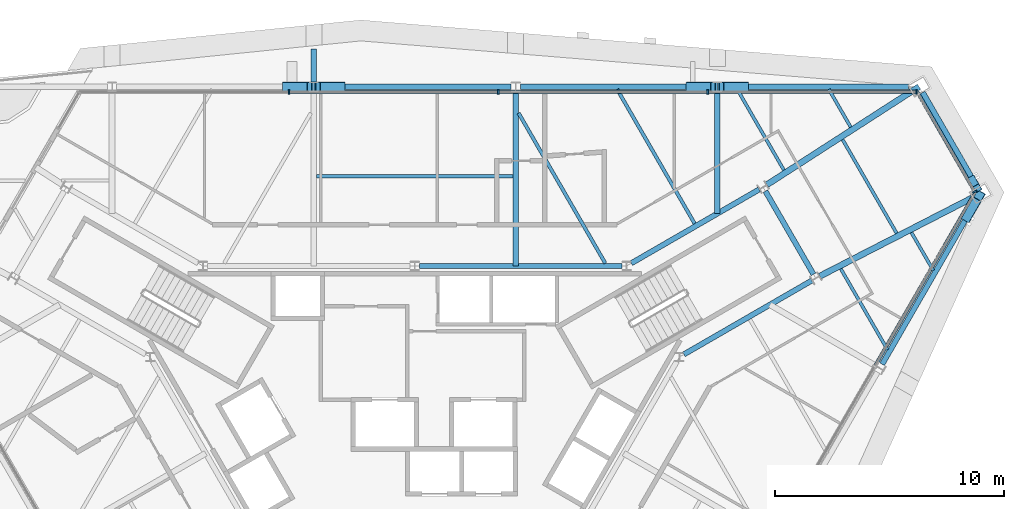
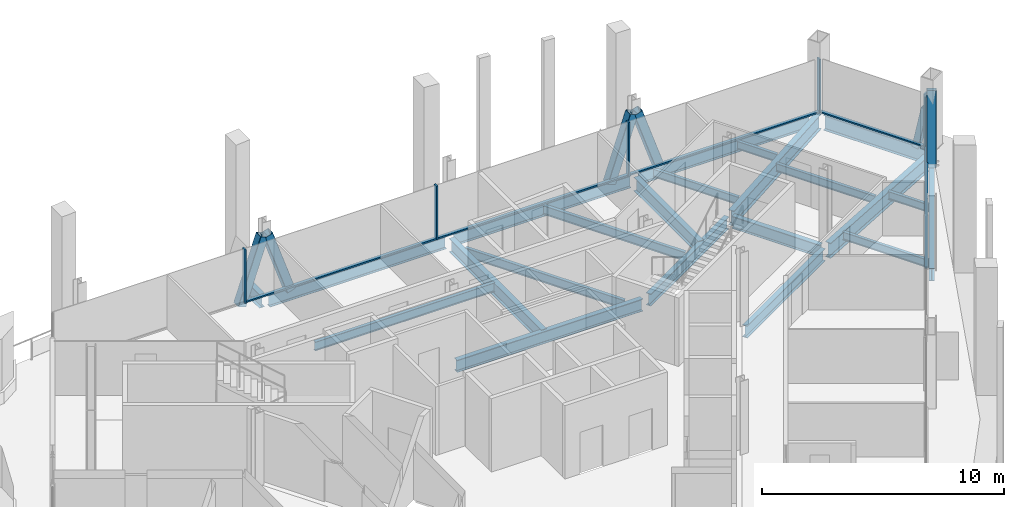
# One storey, part 7 of 14: 22 beams, 16 members, 3 elements without a shape of their own.
"""IFC4 building model written with IfcOpenShell, lengths in metres."""

from ifc_helpers import new_model, si_unit, direction, frame, origin, origin_2d, place, context, subcontext, project, spatial, rectangle, hollow_rectangle, i_section, extrude, material, material_profile, profile_set, type_object, element, aggregate, save


model = new_model("IFC4")

# Units and contexts
model_context = context("Model", 3, precision=1e-05, world=origin(), true_north=direction((0.0, 1.0)))
body_context = subcontext(model_context, "Body", "Model", "MODEL_VIEW")
ifc_project = project(units=[si_unit("LENGTHUNIT", "METRE"), si_unit("AREAUNIT", "SQUARE_METRE"), si_unit("VOLUMEUNIT", "CUBIC_METRE"), si_unit("PLANEANGLEUNIT", "RADIAN"), si_unit("MASSUNIT", "GRAM", prefix="KILO")], contexts=[model_context])

# Site, building, storey
site_placement = place(None, origin())
site = spatial("IfcSite", under=ifc_project, at=site_placement, CompositionType="ELEMENT")
building_placement = place(site_placement, origin())
building = spatial("IfcBuilding", under=site, at=building_placement, Name="Verrane Prism Tower", CompositionType="ELEMENT")
storey_placement = place(building_placement, frame((0.0, 0.0, 228.60009765625)))
storey = spatial("IfcBuildingStorey", under=building, at=storey_placement, Name="L57", CompositionType="ELEMENT", Elevation=228.60009765625)

# Member
ifc_material_1 = material(Name="Steel A500 Grade C", Category="steel")
ifc_material_profile_1 = material_profile(ifc_material_1, hollow_rectangle(XDim=0.3046875, YDim=0.3046875, WallThickness=0.0126953125, InnerFilletRadius=0.00634765625, OuterFilletRadius=0.01904296875, at=origin_2d()), Name="HSS12x12x1/2")
ifc_profile_set_1 = profile_set([ifc_material_profile_1], Name="Steel A500 Grade C")
member_type_1 = type_object("IfcMemberType", Name="Chamfer brace HSS12x12x1/2", PredefinedType="BRACE", material=ifc_profile_set_1)
member_1_placement = place(storey_placement, frame((24.366455078125, 11.773681640625, -0.24267578125), z_axis=(0.101660456099, -0.176430813877, 0.979049191604), x_axis=(0.866454477598, 0.499256084841, 0.0)))
element("IfcMember", 1, at=member_1_placement, inside=storey, type_object=member_type_1, Name="Chamfer brace NE0 L57", PredefinedType="BRACE", context=body_context, shape_type="SweptSolid", body=[
    extrude(hollow_rectangle(XDim=0.3046875, YDim=0.3046875, WallThickness=0.0126953125, InnerFilletRadius=0.00634765625, OuterFilletRadius=0.01904296875, at=origin_2d()), origin(), (0.0, 0.0, 1.0), 2.15185546875),
])

# Beams
ifc_material_2 = material(Name="Steel A992", Category="steel")
ifc_material_profile_2 = material_profile(ifc_material_2, i_section(OverallWidth=0.2666015625, OverallDepth=0.7568359375, WebThickness=0.013916015625, FlangeThickness=0.019287109375, FilletRadius=0.0166015625, at=origin_2d()), Name="W30x108")
ifc_profile_set_2 = profile_set([ifc_material_profile_2], Name="Steel A992")
beam_type_1 = type_object("IfcBeamType", Name="Chamfer spandrel beam W30x108", PredefinedType="SPANDREL", material=ifc_profile_set_2)
beam_1_placement = place(storey_placement, frame((24.5703125, 11.419921875, -0.53857421875), z_axis=(-0.499144251771, 0.866518906848, 0.0), x_axis=(-0.866518906848, -0.499144251771, 0.0)))
element("IfcBeam", 2, at=beam_1_placement, inside=storey, type_object=beam_type_1, Name="Chamfer spandrel beam L57", PredefinedType="SPANDREL", context=body_context, shape_type="SweptSolid", body=[
    extrude(i_section(OverallWidth=0.2666015625, OverallDepth=0.7568359375, WebThickness=0.013916015625, FlangeThickness=0.019287109375, FilletRadius=0.0166015625, at=origin_2d()), origin(), (0.0, 0.0, 1.0), 4.78955078125),
])
ifc_material_3 = material(Name="Steel A992", Category="steel")
ifc_material_profile_3 = material_profile(ifc_material_3, i_section(OverallWidth=0.23046875, OverallDepth=0.6171875, WebThickness=0.01318359375, FlangeThickness=0.022216796875, FilletRadius=0.012939453125, at=origin_2d()), Name="W24x94")
ifc_profile_set_3 = profile_set([ifc_material_profile_3], Name="Steel A992")
beam_type_2 = type_object("IfcBeamType", Name="Core ring girder W24x94", PredefinedType="BEAM", material=ifc_profile_set_3)
beam_2_placement = place(storey_placement, frame((11.759521484375, 4.135009765625, -0.55859375), z_axis=(0.866080992722, 0.499903704773, 0.0), x_axis=(-0.499903704773, 0.866080992722, 0.0)))
element("IfcBeam", 3, at=beam_2_placement, inside=storey, type_object=beam_type_2, Name="Core ring girder L57", PredefinedType="BEAM", context=body_context, shape_type="SweptSolid", body=[
    extrude(i_section(OverallWidth=0.23046875, OverallDepth=0.6171875, WebThickness=0.01318359375, FlangeThickness=0.022216796875, FilletRadius=0.012939453125, at=origin_2d()), origin(), (0.0, 0.0, 1.0), 6.451904296875),
])
beam_3_placement = place(storey_placement, frame((17.419677734375, 7.6337890625, -0.55859375), z_axis=(-0.500375511519, 0.865808493532, 0.0), x_axis=(-0.865808493532, -0.500375511519, 0.0)))
element("IfcBeam", 4, at=beam_3_placement, inside=storey, type_object=beam_type_2, Name="Core ring girder L57", PredefinedType="BEAM", context=body_context, shape_type="SweptSolid", body=[
    extrude(i_section(OverallWidth=0.23046875, OverallDepth=0.6171875, WebThickness=0.01318359375, FlangeThickness=0.022216796875, FilletRadius=0.012939453125, at=origin_2d()), origin(), (0.0, 0.0, 1.0), 4.195556640625),
])
beam_4_placement = place(storey_placement, frame((15.04736328125, 11.34033203125, -0.55859375), z_axis=(-0.866080992722, -0.499903704773, 0.0), x_axis=(0.499903704773, -0.866080992722, 0.0)))
element("IfcBeam", 5, at=beam_4_placement, inside=storey, type_object=beam_type_2, Name="Core ring girder L57", PredefinedType="BEAM", context=body_context, shape_type="SweptSolid", body=[
    extrude(i_section(OverallWidth=0.23046875, OverallDepth=0.6171875, WebThickness=0.01318359375, FlangeThickness=0.022216796875, FilletRadius=0.012939453125, at=origin_2d()), origin(), (0.0, 0.0, 1.0), 6.451904296875),
])
beam_5_placement = place(storey_placement, frame((9.060546875, 8.0, -0.55859375), z_axis=(-1.0, 0.0, 0.0), x_axis=(0.0, -1.0, 0.0)))
element("IfcBeam", 6, at=beam_5_placement, inside=storey, type_object=beam_type_2, Name="Core ring girder L57", PredefinedType="BEAM", context=body_context, shape_type="SweptSolid", body=[
    extrude(i_section(OverallWidth=0.23046875, OverallDepth=0.6171875, WebThickness=0.01318359375, FlangeThickness=0.022216796875, FilletRadius=0.012939453125, at=origin_2d()), origin(), (0.0, 0.0, 1.0), 8.861083984375),
])
ifc_material_4 = material(Name="Steel A992", Category="steel")
ifc_material_profile_4 = material_profile(ifc_material_4, i_section(OverallWidth=0.2666015625, OverallDepth=0.76708984375, WebThickness=0.014892578125, FlangeThickness=0.023681640625, FilletRadius=0.0166015625, at=origin_2d()), Name="W30x124")
ifc_profile_set_4 = profile_set([ifc_material_profile_4], Name="Steel A992")
beam_type_3 = type_object("IfcBeamType", Name="Corner girder W30x124", PredefinedType="BEAM", material=ifc_profile_set_4)
beam_6_placement = place(storey_placement, frame((24.36376953125, 10.97705078125, -0.603515625), z_axis=(-0.889427813273, -0.457075666576, 0.0), x_axis=(0.457075666576, -0.889427813273, 0.0)))
element("IfcBeam", 7, at=beam_6_placement, inside=storey, type_object=beam_type_3, Name="Corner girder L57", PredefinedType="BEAM", context=body_context, shape_type="SweptSolid", body=[
    extrude(i_section(OverallWidth=0.2666015625, OverallDepth=0.76708984375, WebThickness=0.014892578125, FlangeThickness=0.023681640625, FilletRadius=0.0166015625, at=origin_2d()), origin(), (0.0, 0.0, 1.0), 7.4951171875),
])
beam_7_placement = place(storey_placement, frame((22.02880859375, 15.8291015625, -0.603515625), z_axis=(-0.840503183153, -0.541806606742, 0.0), x_axis=(0.541806606742, -0.840503183153, 0.0)))
element("IfcBeam", 8, at=beam_7_placement, inside=storey, type_object=beam_type_3, Name="Corner girder L57", PredefinedType="BEAM", context=body_context, shape_type="SweptSolid", body=[
    extrude(i_section(OverallWidth=0.2666015625, OverallDepth=0.76708984375, WebThickness=0.014892578125, FlangeThickness=0.023681640625, FilletRadius=0.0166015625, at=origin_2d()), origin(), (0.0, 0.0, 1.0), 7.9013671875),
])

# Members
ifc_material_5 = material(Name="Steel A500 Grade C", Category="steel")
ifc_material_profile_5 = material_profile(ifc_material_5, hollow_rectangle(XDim=0.406494140625, YDim=0.406494140625, WallThickness=0.01904296875, InnerFilletRadius=0.009521484375, OuterFilletRadius=0.028564453125, at=origin_2d()), Name="HSS16x16x3/4")
ifc_profile_set_5 = profile_set([ifc_material_profile_5], Name="Steel A500 Grade C")
member_type_2 = type_object("IfcMemberType", Name="Facade brace HSS16x16x3/4", PredefinedType="BRACE", material=ifc_profile_set_5)
for number, where, z_axis, x_axis, name in (
    (9, (14.392822265625, 15.830078125, -0.216796875), (-0.322009246093, 0.0, 0.946736523765), (0.0, -1.0, 0.0), "Facade brace N0 L57"),
    (10, (12.047119140625, 15.830078125, -0.216796875), (0.322009246093, 0.0, 0.946736523765), (0.0, 1.0, 0.0), "Facade brace N1 L57"),
):
    element("IfcMember", number, at=place(storey_placement, frame(where, z_axis=z_axis, x_axis=x_axis)), inside=storey, type_object=member_type_2, Name=name, PredefinedType="BRACE", context=body_context, shape_type="SweptSolid", body=[
        extrude(hollow_rectangle(XDim=0.406494140625, YDim=0.406494140625, WallThickness=0.01904296875, InnerFilletRadius=0.009521484375, OuterFilletRadius=0.028564453125, at=origin_2d()), origin(), (0.0, 0.0, 1.0), 3.328369140625),
    ])
member_2_placement = place(storey_placement, frame((-3.23583984375, 15.830078125, -0.216796875), z_axis=(-0.322337912363, 0.0, 0.946624672325), x_axis=(0.0, -1.0, 0.0)))
element("IfcMember", 11, at=member_2_placement, inside=storey, type_object=member_type_2, Name="Facade brace N2 L57", PredefinedType="BRACE", context=body_context, shape_type="SweptSolid", body=[
    extrude(hollow_rectangle(XDim=0.406494140625, YDim=0.406494140625, WallThickness=0.01904296875, InnerFilletRadius=0.009521484375, OuterFilletRadius=0.028564453125, at=origin_2d()), origin(), (0.0, 0.0, 1.0), 3.328857421875),
])
for number, where, z_axis, x_axis, name in (
    (12, (-5.5830078125, 15.830078125, -0.216796875), (0.322074988667, 0.0, 0.946714160492), (0.0, 1.0, 0.0), "Facade brace N3 L57"),
    (13, (24.13427734375, 10.144287109375, -0.216796875), (0.160861231008, 0.278884815454, 0.946756000281), (-0.866231099009, 0.499643556057, 0.0), "Facade brace SE4 L57"),
):
    element("IfcMember", number, at=place(storey_placement, frame(where, z_axis=z_axis, x_axis=x_axis)), inside=storey, type_object=member_type_2, Name=name, PredefinedType="BRACE", context=body_context, shape_type="SweptSolid", body=[
        extrude(hollow_rectangle(XDim=0.406494140625, YDim=0.406494140625, WallThickness=0.01904296875, InnerFilletRadius=0.009521484375, OuterFilletRadius=0.028564453125, at=origin_2d()), origin(), (0.0, 0.0, 1.0), 3.328369140625),
    ])

# Beams
ifc_material_6 = material(Name="Steel A992", Category="steel")
ifc_material_profile_6 = material_profile(ifc_material_6, i_section(OverallWidth=0.140380859375, OverallDepth=0.40380859375, WebThickness=0.007080078125, FlangeThickness=0.01123046875, FilletRadius=0.01025390625, at=origin_2d()), Name="W16x31")
ifc_profile_set_6 = profile_set([ifc_material_profile_6], Name="Steel A992")
beam_type_4 = type_object("IfcBeamType", Name="Floor beam W16x31", PredefinedType="BEAM", material=ifc_profile_set_6)
beam_8_placement = place(storey_placement, frame((19.0458984375, 14.065185546875, -0.362060546875), z_axis=(-0.499929534118, 0.866066083458, 0.0), x_axis=(-0.866066083458, -0.499929534118, 0.0)))
element("IfcBeam", 14, at=beam_8_placement, inside=storey, type_object=beam_type_4, Name="Floor beam L57", PredefinedType="BEAM", context=body_context, shape_type="SweptSolid", body=[
    extrude(i_section(OverallWidth=0.140380859375, OverallDepth=0.40380859375, WebThickness=0.007080078125, FlangeThickness=0.01123046875, FilletRadius=0.01025390625, at=origin_2d()), origin(), (0.0, 0.0, 1.0), 1.905029296875),
])
beam_9_placement = place(storey_placement, frame((16.12890625, 12.184814453125, -0.362060546875), z_axis=(-0.499978218965, 0.866037978706, 0.0), x_axis=(-0.866037978706, -0.499978218965, 0.0)))
element("IfcBeam", 15, at=beam_9_placement, inside=storey, type_object=beam_type_4, Name="Floor beam L57", PredefinedType="BEAM", context=body_context, shape_type="SweptSolid", body=[
    extrude(i_section(OverallWidth=0.140380859375, OverallDepth=0.40380859375, WebThickness=0.007080078125, FlangeThickness=0.01123046875, FilletRadius=0.01025390625, at=origin_2d()), origin(), (0.0, 0.0, 1.0), 4.076416015625),
])
beam_10_placement = place(storey_placement, frame((22.65380859375, 7.80712890625, -0.362060546875), z_axis=(-0.500036506332, 0.866004325818, 0.0), x_axis=(-0.866004325818, -0.500036506332, 0.0)))
element("IfcBeam", 16, at=beam_10_placement, inside=storey, type_object=beam_type_4, Name="Floor beam L57", PredefinedType="BEAM", context=body_context, shape_type="SweptSolid", body=[
    extrude(i_section(OverallWidth=0.140380859375, OverallDepth=0.40380859375, WebThickness=0.007080078125, FlangeThickness=0.01123046875, FilletRadius=0.01025390625, at=origin_2d()), origin(), (0.0, 0.0, 1.0), 1.906494140625),
])
beam_11_placement = place(storey_placement, frame((20.654052734375, 4.33935546875, -0.362060546875), z_axis=(-0.500007372378, 0.866021147298, 0.0), x_axis=(-0.866021147298, -0.500007372378, 0.0)))
element("IfcBeam", 17, at=beam_11_placement, inside=storey, type_object=beam_type_4, Name="Floor beam L57", PredefinedType="BEAM", context=body_context, shape_type="SweptSolid", body=[
    extrude(i_section(OverallWidth=0.140380859375, OverallDepth=0.40380859375, WebThickness=0.007080078125, FlangeThickness=0.01123046875, FilletRadius=0.01025390625, at=origin_2d()), origin(), (0.0, 0.0, 1.0), 4.07958984375),
])
beam_12_placement = place(storey_placement, frame((21.0546875, 9.426513671875, -0.362060546875), z_axis=(-0.499972881236, 0.866041060244, 0.0), x_axis=(-0.866041060244, -0.499972881236, 0.0)))
element("IfcBeam", 18, at=beam_12_placement, inside=storey, type_object=beam_type_4, Name="Floor beam L57", PredefinedType="BEAM", context=body_context, shape_type="SweptSolid", body=[
    extrude(i_section(OverallWidth=0.140380859375, OverallDepth=0.40380859375, WebThickness=0.007080078125, FlangeThickness=0.01123046875, FilletRadius=0.01025390625, at=origin_2d()), origin(), (0.0, 0.0, 1.0), 4.725830078125),
])
ifc_material_7 = material(Name="Steel A992", Category="steel")
ifc_material_profile_7 = material_profile(ifc_material_7, i_section(OverallWidth=0.15234375, OverallDepth=0.449462890625, WebThickness=0.007568359375, FlangeThickness=0.0107421875, FilletRadius=0.01025390625, at=origin_2d()), Name="W18x35")
ifc_profile_set_7 = profile_set([ifc_material_profile_7], Name="Steel A992")
beam_type_5 = type_object("IfcBeamType", Name="Floor beam W18x35", PredefinedType="BEAM", material=ifc_profile_set_7)
beam_13_placement = place(storey_placement, frame((12.22900390625, 9.849853515625, -0.385009765625), z_axis=(-0.499992893009, 0.866029506969, 0.0), x_axis=(-0.866029506969, -0.499992893009, 0.0)))
element("IfcBeam", 19, at=beam_13_placement, inside=storey, type_object=beam_type_5, Name="Floor beam L57", PredefinedType="BEAM", context=body_context, shape_type="SweptSolid", body=[
    extrude(i_section(OverallWidth=0.15234375, OverallDepth=0.449462890625, WebThickness=0.007568359375, FlangeThickness=0.0107421875, FilletRadius=0.01025390625, at=origin_2d()), origin(), (0.0, 0.0, 1.0), 6.7724609375),
])
beam_14_placement = place(storey_placement, frame((8.3251953125, 8.114990234375, -0.385009765625), z_axis=(-0.499979074716, 0.866037484666, 0.0), x_axis=(-0.866037484666, -0.499979074716, 0.0)))
element("IfcBeam", 20, at=beam_14_placement, inside=storey, type_object=beam_type_5, Name="Floor beam L57", PredefinedType="BEAM", context=body_context, shape_type="SweptSolid", body=[
    extrude(i_section(OverallWidth=0.15234375, OverallDepth=0.449462890625, WebThickness=0.007568359375, FlangeThickness=0.0107421875, FilletRadius=0.01025390625, at=origin_2d()), origin(), (0.0, 0.0, 1.0), 7.576416015625),
])
beam_15_placement = place(storey_placement, frame((-4.282958984375, 11.9150390625, -0.385009765625), z_axis=(1.0, 0.0, 0.0), x_axis=(0.0, 1.0, 0.0)))
element("IfcBeam", 21, at=beam_15_placement, inside=storey, type_object=beam_type_5, Name="Floor beam L57", PredefinedType="BEAM", context=body_context, shape_type="SweptSolid", body=[
    extrude(i_section(OverallWidth=0.15234375, OverallDepth=0.449462890625, WebThickness=0.007568359375, FlangeThickness=0.0107421875, FilletRadius=0.01025390625, at=origin_2d()), origin(), (0.0, 0.0, 1.0), 8.56591796875),
])

# Curtain wall, member
ifc_material_8 = material(Name="Aluminium framed insulated glazing", Category="aluminium")
curtain_wall_type = type_object("IfcCurtainWallType", Name="Curtain wall CW-A 8400 module", PredefinedType="NOTDEFINED", material=ifc_material_8)
curtain_wall_1_placement = place(storey_placement, origin())
curtain_wall_1 = element("IfcCurtainWall", 22, at=curtain_wall_1_placement, inside=storey, type_object=curtain_wall_type, Name="Glazed curtain wall north-east corner L57", PredefinedType="NOTDEFINED")
ifc_material_9 = material(Name="Aluminium alloy 6063-T6", Category="aluminium")
ifc_material_profile_8 = material_profile(ifc_material_9, rectangle(XDim=0.199951171875, YDim=0.070068359375, at=origin_2d()), Name="Mullion 70x200 aluminium")
ifc_profile_set_8 = profile_set([ifc_material_profile_8], Name="Aluminium alloy 6063-T6")
member_type_3 = type_object("IfcMemberType", Name="Mullion 70x200 aluminium", PredefinedType="MULLION", material=ifc_profile_set_8)
member_3_placement = place(storey_placement, frame((24.4716796875, 11.2431640625, 0.0), z_axis=(0.0, 0.0, 1.0), x_axis=(-0.866028188915, -0.499995175981, 0.0)))
member_3 = element("IfcMember", 23, at=member_3_placement, type_object=member_type_3, Name="CW57.1 mullion 1", PredefinedType="MULLION", context=body_context, shape_type="SweptSolid", body=[
    extrude(rectangle(XDim=0.199951171875, YDim=0.070068359375, at=origin_2d()), origin(), (0.0, 0.0, 1.0), 2.712890625),
])

# Curtain wall, members
curtain_wall_2_placement = place(storey_placement, origin())
curtain_wall_2 = element("IfcCurtainWall", 24, at=curtain_wall_2_placement, inside=storey, type_object=curtain_wall_type, Name="Glazed curtain wall north face L57", PredefinedType="NOTDEFINED")
member_4_placement = place(storey_placement, frame((21.92041015625, 15.601806640625, 0.0), z_axis=(0.0, 0.0, 1.0), x_axis=(0.0, -1.0, 0.0)))
member_4 = element("IfcMember", 25, at=member_4_placement, type_object=member_type_3, Name="CW57.2 mullion 1", PredefinedType="MULLION", context=body_context, shape_type="SweptSolid", body=[
    extrude(rectangle(XDim=0.199951171875, YDim=0.070068359375, at=origin_2d()), origin(), (0.0, 0.0, 1.0), 2.712890625),
])
member_5_placement = place(storey_placement, frame((12.802734375, 15.601806640625, 0.0), z_axis=(0.0, 0.0, 1.0), x_axis=(0.0, -1.0, 0.0)))
member_5 = element("IfcMember", 26, at=member_5_placement, type_object=member_type_3, Name="CW57.2 mullion 2", PredefinedType="MULLION", context=body_context, shape_type="SweptSolid", body=[
    extrude(rectangle(XDim=0.199951171875, YDim=0.070068359375, at=origin_2d()), origin(), (0.0, 0.0, 1.0), 2.712890625),
])
member_6_placement = place(storey_placement, frame((3.650390625, 15.601806640625, 0.0), z_axis=(0.0, 0.0, 1.0), x_axis=(0.0, -1.0, 0.0)))
member_6 = element("IfcMember", 27, at=member_6_placement, type_object=member_type_3, Name="CW57.2 mullion 3", PredefinedType="MULLION", context=body_context, shape_type="SweptSolid", body=[
    extrude(rectangle(XDim=0.199951171875, YDim=0.070068359375, at=origin_2d()), origin(), (0.0, 0.0, 1.0), 2.712890625),
])
member_7_placement = place(storey_placement, frame((-5.501953125, 15.601806640625, 0.0), z_axis=(0.0, 0.0, 1.0), x_axis=(0.0, -1.0, 0.0)))
member_7 = element("IfcMember", 28, at=member_7_placement, type_object=member_type_3, Name="CW57.2 mullion 4", PredefinedType="MULLION", context=body_context, shape_type="SweptSolid", body=[
    extrude(rectangle(XDim=0.199951171875, YDim=0.070068359375, at=origin_2d()), origin(), (0.0, 0.0, 1.0), 2.712890625),
])

# Beams
ifc_material_10 = material(Name="Steel A992", Category="steel")
ifc_material_profile_9 = material_profile(ifc_material_10, i_section(OverallWidth=0.25390625, OverallDepth=0.683349609375, WebThickness=0.012451171875, FlangeThickness=0.01904296875, FilletRadius=0.01513671875, at=origin_2d()), Name="W27x94")
ifc_profile_set_9 = profile_set([ifc_material_profile_9], Name="Steel A992")
beam_type_6 = type_object("IfcBeamType", Name="Radial girder W27x94", PredefinedType="BEAM", material=ifc_profile_set_9)
beam_16_placement = place(storey_placement, frame((13.219970703125, 15.630615234375, -0.561767578125), z_axis=(0.0, -1.0, 0.0), x_axis=(1.0, 0.0, 0.0)))
element("IfcBeam", 29, at=beam_16_placement, inside=storey, type_object=beam_type_6, Name="Radial girder L57", PredefinedType="BEAM", context=body_context, shape_type="SweptSolid", body=[
    extrude(i_section(OverallWidth=0.25390625, OverallDepth=0.683349609375, WebThickness=0.012451171875, FlangeThickness=0.01904296875, FilletRadius=0.01513671875, at=origin_2d()), origin(), (0.0, 0.0, 1.0), 5.344970703125),
])
beam_17_placement = place(storey_placement, frame((4.409912109375, 15.630615234375, -0.561767578125), z_axis=(0.0, -1.0, 0.0), x_axis=(1.0, 0.0, 0.0)))
element("IfcBeam", 30, at=beam_17_placement, inside=storey, type_object=beam_type_6, Name="Radial girder L57", PredefinedType="BEAM", context=body_context, shape_type="SweptSolid", body=[
    extrude(i_section(OverallWidth=0.25390625, OverallDepth=0.683349609375, WebThickness=0.012451171875, FlangeThickness=0.01904296875, FilletRadius=0.01513671875, at=origin_2d()), origin(), (0.0, 0.0, 1.0), 7.630615234375),
])
beam_18_placement = place(storey_placement, frame((-4.409912109375, 16.025390625, -0.561767578125), z_axis=(0.0, 1.0, 0.0), x_axis=(-1.0, 0.0, 0.0)))
element("IfcBeam", 31, at=beam_18_placement, inside=storey, type_object=beam_type_6, Name="Cantilever girder L57", PredefinedType="BEAM", context=body_context, shape_type="SweptSolid", body=[
    extrude(i_section(OverallWidth=0.25390625, OverallDepth=0.683349609375, WebThickness=0.012451171875, FlangeThickness=0.01904296875, FilletRadius=0.01513671875, at=origin_2d()), origin(), (0.0, 0.0, 1.0), 1.4599609375),
])
ifc_material_11 = material(Name="Steel A992", Category="steel")
ifc_material_profile_10 = material_profile(ifc_material_11, i_section(OverallWidth=0.23046875, OverallDepth=0.6171875, WebThickness=0.01318359375, FlangeThickness=0.022216796875, FilletRadius=0.012939453125, at=origin_2d()), Name="W24x94")
ifc_profile_set_10 = profile_set([ifc_material_profile_10], Name="Steel A992")
beam_type_7 = type_object("IfcBeamType", Name="Spandrel beam W24x94", PredefinedType="SPANDREL", material=ifc_profile_set_10)
beam_19_placement = place(storey_placement, frame((21.568115234375, 15.830078125, -0.46875), z_axis=(-1.0, 0.0, 0.0), x_axis=(0.0, -1.0, 0.0)))
element("IfcBeam", 32, at=beam_19_placement, inside=storey, type_object=beam_type_7, Name="Spandrel beam L57", PredefinedType="SPANDREL", context=body_context, shape_type="SweptSolid", body=[
    extrude(i_section(OverallWidth=0.23046875, OverallDepth=0.6171875, WebThickness=0.01318359375, FlangeThickness=0.022216796875, FilletRadius=0.012939453125, at=origin_2d()), origin(), (0.0, 0.0, 1.0), 8.1474609375),
])
beam_20_placement = place(storey_placement, frame((13.019287109375, 15.830078125, -0.46875), z_axis=(-1.0, 0.0, 0.0), x_axis=(0.0, -1.0, 0.0)))
element("IfcBeam", 33, at=beam_20_placement, inside=storey, type_object=beam_type_7, Name="Spandrel beam L57", PredefinedType="SPANDREL", context=body_context, shape_type="SweptSolid", body=[
    extrude(i_section(OverallWidth=0.23046875, OverallDepth=0.6171875, WebThickness=0.01318359375, FlangeThickness=0.022216796875, FilletRadius=0.012939453125, at=origin_2d()), origin(), (0.0, 0.0, 1.0), 8.40869140625),
])
beam_21_placement = place(storey_placement, frame((4.209228515625, 15.830078125, -0.46875), z_axis=(-1.0, 0.0, 0.0), x_axis=(0.0, -1.0, 0.0)))
element("IfcBeam", 34, at=beam_21_placement, inside=storey, type_object=beam_type_7, Name="Spandrel beam L57", PredefinedType="SPANDREL", context=body_context, shape_type="SweptSolid", body=[
    extrude(i_section(OverallWidth=0.23046875, OverallDepth=0.6171875, WebThickness=0.01318359375, FlangeThickness=0.022216796875, FilletRadius=0.012939453125, at=origin_2d()), origin(), (0.0, 0.0, 1.0), 8.41845703125),
])
beam_22_placement = place(storey_placement, frame((20.420166015625, 3.703857421875, -0.46875), z_axis=(0.499572810058, 0.866271901571, 0.0), x_axis=(-0.866271901571, 0.499572810058, 0.0)))
element("IfcBeam", 35, at=beam_22_placement, inside=storey, type_object=beam_type_7, Name="Spandrel beam L57", PredefinedType="SPANDREL", context=body_context, shape_type="SweptSolid", body=[
    extrude(i_section(OverallWidth=0.23046875, OverallDepth=0.6171875, WebThickness=0.01318359375, FlangeThickness=0.022216796875, FilletRadius=0.012939453125, at=origin_2d()), origin(), (0.0, 0.0, 1.0), 8.145263671875),
])

# Member
ifc_material_12 = material(Name="Aluminium alloy 6063-T6", Category="aluminium")
ifc_material_profile_11 = material_profile(ifc_material_12, rectangle(XDim=0.14990234375, YDim=0.070068359375, at=origin_2d()), Name="Transom 70x150 aluminium")
ifc_profile_set_11 = profile_set([ifc_material_profile_11], Name="Aluminium alloy 6063-T6")
member_type_4 = type_object("IfcMemberType", Name="Transom 70x150 aluminium", PredefinedType="USERDEFINED", material=ifc_profile_set_11)
member_8_placement = place(storey_placement, frame((24.4541015625, 11.2734375, 0.034912109375), z_axis=(-0.499969117767, 0.866043232916, 0.0), x_axis=(-0.866043232916, -0.499969117767, 0.0)))
member_8 = element("IfcMember", 36, at=member_8_placement, type_object=member_type_4, Name="CW57.1 transom 1", ObjectType="TRANSOM", PredefinedType="USERDEFINED", context=body_context, shape_type="SweptSolid", body=[
    extrude(rectangle(XDim=0.14990234375, YDim=0.070068359375, at=origin_2d()), origin(), (0.0, 0.0, 1.0), 4.997802734375),
])

aggregate(curtain_wall_1, [member_3, member_8])

member_9_placement = place(storey_placement, frame((21.88525390625, 15.601806640625, 0.034912109375), z_axis=(-1.0, 0.0, 0.0), x_axis=(0.0, -1.0, 0.0)))
member_9 = element("IfcMember", 37, at=member_9_placement, type_object=member_type_4, Name="CW57.2 transom 1", ObjectType="TRANSOM", PredefinedType="USERDEFINED", context=body_context, shape_type="SweptSolid", body=[
    extrude(rectangle(XDim=0.14990234375, YDim=0.070068359375, at=origin_2d()), origin(), (0.0, 0.0, 1.0), 9.04736328125),
])

member_10_placement = place(storey_placement, frame((12.767822265625, 15.601806640625, 0.034912109375), z_axis=(-1.0, 0.0, 0.0), x_axis=(0.0, -1.0, 0.0)))
member_10 = element("IfcMember", 38, at=member_10_placement, type_object=member_type_4, Name="CW57.2 transom 2", ObjectType="TRANSOM", PredefinedType="USERDEFINED", context=body_context, shape_type="SweptSolid", body=[
    extrude(rectangle(XDim=0.14990234375, YDim=0.070068359375, at=origin_2d()), origin(), (0.0, 0.0, 1.0), 9.08251953125),
])

member_11_placement = place(storey_placement, frame((3.615478515625, 15.601806640625, 0.034912109375), z_axis=(-1.0, 0.0, 0.0), x_axis=(0.0, -1.0, 0.0)))
member_11 = element("IfcMember", 39, at=member_11_placement, type_object=member_type_4, Name="CW57.2 transom 3", ObjectType="TRANSOM", PredefinedType="USERDEFINED", context=body_context, shape_type="SweptSolid", body=[
    extrude(rectangle(XDim=0.14990234375, YDim=0.070068359375, at=origin_2d()), origin(), (0.0, 0.0, 1.0), 9.08251953125),
])

aggregate(curtain_wall_2, [member_4, member_5, member_6, member_7, member_9, member_10, member_11])

# Curtain wall, member
curtain_wall_3_placement = place(storey_placement, origin())
curtain_wall_3 = element("IfcCurtainWall", 40, at=curtain_wall_3_placement, inside=storey, type_object=curtain_wall_type, Name="Glazed curtain wall south-east face L57", PredefinedType="NOTDEFINED")
member_12_placement = place(storey_placement, frame((20.11572265625, 3.6376953125, 0.034912109375), z_axis=(0.499999494409, 0.866025695687, 0.0), x_axis=(-0.866025695687, 0.499999494409, 0.0)))
member_12 = element("IfcMember", 41, at=member_12_placement, type_object=member_type_4, Name="CW57.6 transom 5", ObjectType="TRANSOM", PredefinedType="USERDEFINED", context=body_context, shape_type="SweptSolid", body=[
    extrude(rectangle(XDim=0.14990234375, YDim=0.070068359375, at=origin_2d()), origin(), (0.0, 0.0, 1.0), 8.7470703125),
])
aggregate(curtain_wall_3, [member_12])

save(model, "model.ifc")
